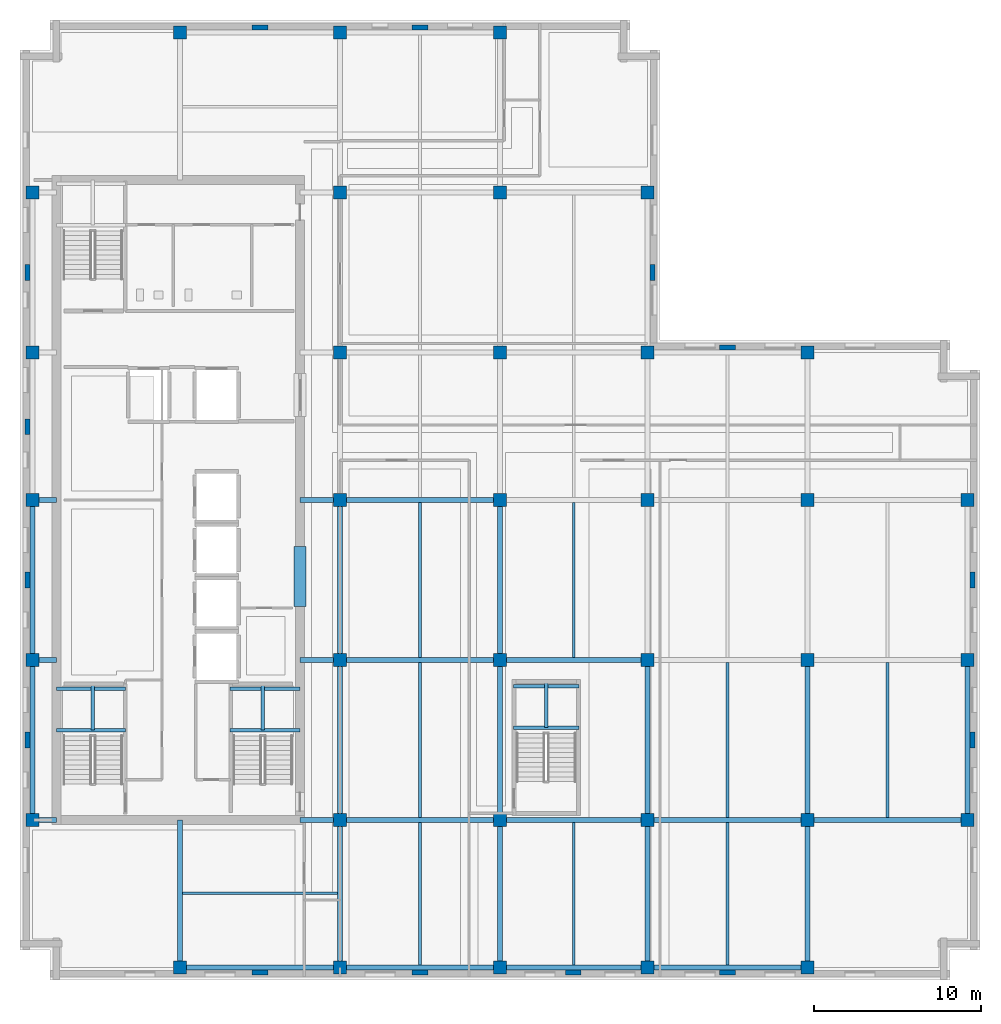
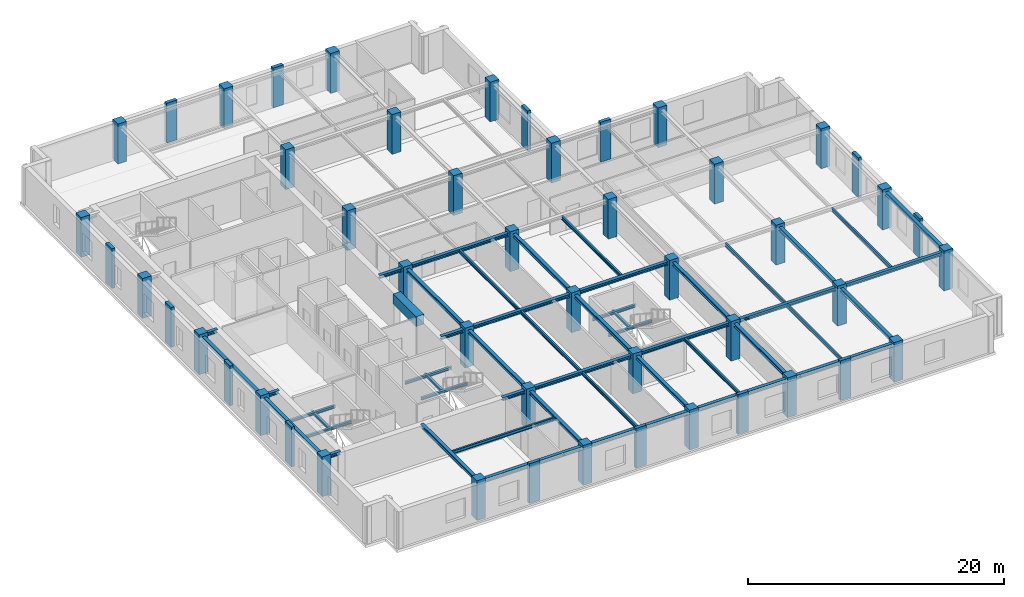
# One storey, part 1 of 12: 50 beams, 49 columns.
"""IFC4 building model written with IfcOpenShell, lengths in metres."""

import ifcopenshell
import ifcopenshell.guid

model = None  # the IFC model being written
_history = None  # IfcOwnerHistory: only IFC2X3 demands one
_inside = {}  # id of a spatial element -> (the spatial element, [elements in it])
_under = {}  # id of a project, library or spatial element -> (it, [spatial elements below it])
_declared = {}  # id of a project -> (the project, [libraries it declares])
_typed = {}  # id of a type object -> (the type object, [elements of that type])
_made_of = {}  # id of a material, layer set ... -> (it, [elements and type objects made of it])


def new_model(schema):
    """Start an empty IFC model of exactly this schema.

    Asked for "IFC4X3", IfcOpenShell would pick the latest addendum, in which some entities
    have other attributes; the version numbers below select the first issue.
    IFC2X3 requires an IfcOwnerHistory on every rooted entity: one is made here for all.
    """
    global model, _history
    if schema == "IFC4X3":
        model = ifcopenshell.file(schema_version=(4, 3, 0, 0))
    else:
        model = ifcopenshell.file(schema=schema)
    _inside.clear()
    _under.clear()
    _declared.clear()
    _typed.clear()
    _made_of.clear()
    _history = None
    if model.schema == "IFC2X3":
        org = make("IfcOrganization", Name="unknown")
        user = make(
            "IfcPersonAndOrganization",
            ThePerson=make("IfcPerson", FamilyName="unknown"),
            TheOrganization=org,
        )
        app = make(
            "IfcApplication",
            ApplicationDeveloper=org,
            Version="unknown",
            ApplicationFullName="unknown",
            ApplicationIdentifier="unknown",
        )
        _history = make(
            "IfcOwnerHistory",
            OwningUser=user,
            OwningApplication=app,
            ChangeAction="ADDED",
            CreationDate=0,
        )
    return model


def make(cls, **values):
    """One entity of the class cls with the attributes given. An attribute that is None is left unset."""
    return model.create_entity(
        cls, **{name: value for name, value in values.items() if value is not None}
    )


def rooted(cls, **values):
    """An entity with a GlobalId (a new one), such as an element, a storey or a relation."""
    return make(cls, GlobalId=ifcopenshell.guid.new(), OwnerHistory=_history, **values)


def si_unit(unit_type, name, prefix=None):
    """IfcSIUnit, for example si_unit("LENGTHUNIT", "METRE", prefix="MILLI")."""
    return make("IfcSIUnit", UnitType=unit_type, Prefix=prefix, Name=name)


def assignment(units):
    """IfcUnitAssignment: the units of a project."""
    return None if units is None else make("IfcUnitAssignment", Units=units)


def point(xyz):
    """IfcCartesianPoint."""
    return None if xyz is None else make("IfcCartesianPoint", Coordinates=xyz)


def direction(xyz):
    """IfcDirection."""
    return None if xyz is None else make("IfcDirection", DirectionRatios=xyz)


def frame(location, z_axis=None, x_axis=None):
    """IfcAxis2Placement3D, a coordinate frame: its origin and axes. An axis left out is left unset."""
    return make(
        "IfcAxis2Placement3D",
        Location=point(location),
        Axis=direction(z_axis),
        RefDirection=direction(x_axis),
    )


def frame_2d(location, x_axis=None):
    """IfcAxis2Placement2D, a coordinate frame in the plane: its origin and x axis."""
    return make(
        "IfcAxis2Placement2D", Location=point(location), RefDirection=direction(x_axis)
    )


def origin():
    """The frame at (0, 0, 0) with its axes left unset."""
    return frame((0.0, 0.0, 0.0))


def origin_2d():
    """The frame at (0, 0) in the plane with its x axis left unset."""
    return frame_2d((0.0, 0.0))


def place(relative_to, where):
    """IfcLocalPlacement: puts the frame where relative to a parent placement (None: the world)."""
    return make(
        "IfcLocalPlacement", PlacementRelTo=relative_to, RelativePlacement=where
    )


def context(
    kind, dimensions, precision=None, world=None, true_north=None, identifier=None
):
    """IfcGeometricRepresentationContext, for example the 3D "Model" context."""
    return make(
        "IfcGeometricRepresentationContext",
        ContextIdentifier=identifier,
        ContextType=kind,
        CoordinateSpaceDimension=dimensions,
        Precision=precision,
        WorldCoordinateSystem=world,
        TrueNorth=true_north,
    )


def subcontext(parent, identifier, kind, view, scale=None):
    """IfcGeometricRepresentationSubContext, for example "Body" below "Model"."""
    return make(
        "IfcGeometricRepresentationSubContext",
        ContextIdentifier=identifier,
        ContextType=kind,
        ParentContext=parent,
        TargetScale=scale,
        TargetView=view,
    )


def project(units=None, contexts=None):
    """IfcProject with its units and contexts."""
    return rooted(
        "IfcProject",
        Name="project",
        RepresentationContexts=contexts,
        UnitsInContext=assignment(units),
    )


def spatial(cls, under=None, at=None, **own):
    """A site, building, storey or space (cls), placed at a placement, below another one or the project."""
    s = rooted(cls, ObjectPlacement=at, **own)
    if under is not None:
        _under.setdefault(under.id(), (under, []))[1].append(s)
    return s


def profile(cls, at=None, kind="AREA", **sizes):
    """A parametric profile (cls). Its sizes go by their IFC names, for example OverallWidth=200.0."""
    return make(cls, ProfileType=kind, Position=at, **sizes)


def rectangle(**sizes):
    """IfcRectangleProfileDef."""
    return profile("IfcRectangleProfileDef", **sizes)


def i_section(**sizes):
    """IfcIShapeProfileDef."""
    return profile("IfcIShapeProfileDef", **sizes)


def extrude(swept, where, along, depth):
    """IfcExtrudedAreaSolid: the profile swept, set in the frame where, extruded along a direction by depth."""
    return make(
        "IfcExtrudedAreaSolid",
        SweptArea=swept,
        Position=where,
        ExtrudedDirection=direction(along),
        Depth=depth,
    )


def shape(context_of_items, identifier, shape_type, items):
    """IfcShapeRepresentation: the items that make up one representation, for example the "Body"."""
    return make(
        "IfcShapeRepresentation",
        ContextOfItems=context_of_items,
        RepresentationIdentifier=identifier,
        RepresentationType=shape_type,
        Items=items,
    )


def material(Name=None, Category=None):
    """IfcMaterial."""
    return make("IfcMaterial", Name=Name, Category=Category)


def material_profile(
    of_material, cross_section, Name=None, Category=None, Priority=None
):
    """IfcMaterialProfile: a cross section and its material."""
    return make(
        "IfcMaterialProfile",
        Name=Name,
        Material=of_material,
        Profile=cross_section,
        Priority=Priority,
        Category=Category,
    )


def profile_set(profiles, Name=None, composite=None):
    """IfcMaterialProfileSet."""
    return make(
        "IfcMaterialProfileSet",
        Name=Name,
        MaterialProfiles=profiles,
        CompositeProfile=composite,
    )


def made_of(thing, what):
    """Note that an element or type object is made of a material, layer set ...; save() writes the relation."""
    if what is not None:
        _made_of.setdefault(what.id(), (what, []))[1].append(thing)
    return thing


def type_object(cls, material=None, **own):
    """A type object (cls), such as IfcWallType, which elements share."""
    return made_of(rooted(cls, **own), material)


def element(
    cls,
    number,
    at=None,
    inside=None,
    cuts=None,
    type_object=None,
    material=None,
    context=None,
    identifier="Body",
    shape_type=None,
    held_by="IfcProductDefinitionShape",
    body=None,
    shapes=None,
    **own,
):
    """One element of the class cls, such as IfcWall. Its Tag is "e" and its number.

    at: its placement. inside: the storey or other place that contains it. cuts: it is an
    opening in that element (IfcRelVoidsElement). A single representation is given by context,
    identifier, shape_type and body (its items); several are given by shapes. held_by: the class
    of the entity that holds the representations. save() writes the other relations.
    """
    e = rooted(cls, Tag="e%d" % number, ObjectPlacement=at, **own)
    if body is not None:
        shapes = [shape(context, identifier, shape_type, body)]
    if shapes is not None:
        e.Representation = make(held_by, Representations=shapes)
    if inside is not None:
        _inside.setdefault(inside.id(), (inside, []))[1].append(e)
    if cuts is not None:
        rooted(
            "IfcRelVoidsElement", RelatingBuildingElement=cuts, RelatedOpeningElement=e
        )
    if type_object is not None:
        _typed.setdefault(type_object.id(), (type_object, []))[1].append(e)
    return made_of(e, material)


def aggregate(whole, parts):
    """IfcRelAggregates: a whole, such as a stair, and the parts it consists of."""
    return rooted("IfcRelAggregates", RelatingObject=whole, RelatedObjects=parts)


def save(model, path):
    """Write the relations noted so far, then the file.

    IfcRelAggregates (storeys below a building ...), IfcRelContainedInSpatialStructure (elements
    in a storey), IfcRelDefinesByType, IfcRelAssociatesMaterial and IfcRelDeclares: one each for
    every whole, place, type object, material and project.
    """
    for whole, parts in _under.values():
        aggregate(whole, parts)
    for where, things in _inside.values():
        rooted(
            "IfcRelContainedInSpatialStructure",
            RelatedElements=things,
            RelatingStructure=where,
        )
    for kind, things in _typed.values():
        rooted("IfcRelDefinesByType", RelatedObjects=things, RelatingType=kind)
    for what, things in _made_of.values():
        rooted("IfcRelAssociatesMaterial", RelatedObjects=things, RelatingMaterial=what)
    for by, libraries in _declared.values():
        rooted("IfcRelDeclares", RelatingContext=by, RelatedDefinitions=libraries)
    model.write(path)


model = new_model("IFC4")

# Units and contexts
model_context = context("Model", 3, precision=1e-05, world=origin(), true_north=direction((0.0, 1.0)))
body_context = subcontext(model_context, "Body", "Model", "MODEL_VIEW")
ifc_project = project(units=[si_unit("LENGTHUNIT", "METRE"), si_unit("AREAUNIT", "SQUARE_METRE"), si_unit("VOLUMEUNIT", "CUBIC_METRE"), si_unit("PLANEANGLEUNIT", "RADIAN"), si_unit("MASSUNIT", "GRAM", prefix="KILO")], contexts=[model_context])

# Site, building, storey
site_placement = place(None, origin())
site = spatial("IfcSite", under=ifc_project, at=site_placement, CompositionType="ELEMENT")
building_placement = place(site_placement, origin())
building = spatial("IfcBuilding", under=site, at=building_placement, Name="Norrvale University Quadrangle", CompositionType="ELEMENT")
storey_placement = place(building_placement, frame((0.0, 0.0, 237.0)))
storey = spatial("IfcBuildingStorey", under=building, at=storey_placement, Name="L60", CompositionType="ELEMENT", Elevation=237.0)

# Columns
ifc_material_1 = material(Name="Red Manganese Brick Concrete C60/75", Category="concrete")
ifc_material_profile_1 = material_profile(ifc_material_1, rectangle(XDim=0.949951171875, YDim=0.300048828125, at=origin_2d()), Name="Red Manganese Brick Concrete C60/75")
ifc_profile_set_1 = profile_set([ifc_material_profile_1], Name="Red Manganese Brick Concrete C60/75")
column_type_1 = type_object("IfcColumnType", Name="Column Brick Pier 950x300", PredefinedType="PILASTER", material=ifc_profile_set_1)
for number, where, z_axis, x_axis, name in (
    (1, (0.449951171875, 14.39990234375, 0.0), (0.0, 0.0, 1.0), (0.0, 1.0, 0.0), "Exterior Brick Facade Pilaster L60-01"),
    (2, (0.449951171875, 24.0, 0.0), (0.0, 0.0, 1.0), (0.0, 1.0, 0.0), "Exterior Brick Facade Pilaster L60-02"),
    (3, (0.449951171875, 33.199951171875, 0.0), (0.0, 0.0, 1.0), (0.0, 1.0, 0.0), "Exterior Brick Facade Pilaster L60-03"),
    (4, (0.449951171875, 42.449951171875, 0.0), (0.0, 0.0, 1.0), (0.0, 1.0, 0.0), "Exterior Brick Facade Pilaster L60-04"),
    (5, (14.39990234375, 0.449951171875, 0.0), (0.0, 0.0, 1.0), (1.0, 0.0, 0.0), "Exterior Brick Facade Pilaster L60-05"),
    (6, (24.0, 0.449951171875, 0.0), (0.0, 0.0, 1.0), (1.0, 0.0, 0.0), "Exterior Brick Facade Pilaster L60-06"),
    (7, (33.199951171875, 0.449951171875, 0.0), (0.0, 0.0, 1.0), (1.0, 0.0, 0.0), "Exterior Brick Facade Pilaster L60-07"),
    (8, (42.449951171875, 0.449951171875, 0.0), (0.0, 0.0, 1.0), (1.0, 0.0, 0.0), "Exterior Brick Facade Pilaster L60-08"),
    (9, (57.14990234375, 14.39990234375, 0.0), (0.0, 0.0, 1.0), (0.0, 1.0, 0.0), "Exterior Brick Facade Pilaster L60-09"),
    (10, (57.14990234375, 24.0, 0.0), (0.0, 0.0, 1.0), (0.0, 1.0, 0.0), "Exterior Brick Facade Pilaster L60-10"),
    (11, (14.39990234375, 57.14990234375, 0.0), (0.0, 0.0, 1.0), (1.0, 0.0, 0.0), "Exterior Brick Facade Pilaster L60-11"),
    (12, (24.0, 57.14990234375, 0.0), (0.0, 0.0, 1.0), (1.0, 0.0, 0.0), "Exterior Brick Facade Pilaster L60-12"),
    (13, (37.949951171875, 42.449951171875, 0.0), (0.0, 0.0, 1.0), (0.0, 1.0, 0.0), "Exterior Brick Facade Pilaster L60-13"),
    (14, (42.449951171875, 37.949951171875, 0.0), (0.0, 0.0, 1.0), (1.0, 0.0, 0.0), "Exterior Brick Facade Pilaster L60-14"),
):
    element("IfcColumn", number, at=place(storey_placement, frame(where, z_axis=z_axis, x_axis=x_axis)), inside=storey, type_object=column_type_1, Name=name, PredefinedType="PILASTER", context=body_context, shape_type="SweptSolid", body=[
        extrude(rectangle(XDim=0.949951171875, YDim=0.300048828125, at=origin_2d()), origin(), (0.0, 0.0, 1.0), 3.800048828125),
    ])
ifc_material_2 = material(Name="Concrete C60/75", Category="concrete")
ifc_material_profile_2 = material_profile(ifc_material_2, rectangle(XDim=0.800048828125, YDim=0.800048828125, at=origin_2d()), Name="Concrete C60/75")
ifc_profile_set_2 = profile_set([ifc_material_profile_2], Name="Concrete C60/75")
column_type_2 = type_object("IfcColumnType", Name="Column Tower Z3 800x800", PredefinedType="COLUMN", material=ifc_profile_set_2)
for number, where, z_axis, x_axis, name in (
    (15, (0.75, 9.60009765625, 0.0), (0.0, 0.0, 1.0), (1.0, 0.0, 0.0), "Tower Column L60-T01"),
    (16, (0.75, 19.199951171875, 0.0), (0.0, 0.0, 1.0), (1.0, 0.0, 0.0), "Tower Column L60-T02"),
    (17, (0.75, 28.800048828125, 0.0), (0.0, 0.0, 1.0), (1.0, 0.0, 0.0), "Tower Column L60-T03"),
    (18, (0.75, 37.64990234375, 0.0), (0.0, 0.0, 1.0), (1.0, 0.0, 0.0), "Tower Column L60-T04"),
    (19, (0.75, 47.25, 0.0), (0.0, 0.0, 1.0), (1.0, 0.0, 0.0), "Tower Column L60-T05"),
    (20, (9.60009765625, 0.75, 0.0), (0.0, 0.0, 1.0), (1.0, 0.0, 0.0), "Tower Column L60-T06"),
    (21, (9.60009765625, 56.85009765625, 0.0), (0.0, 0.0, 1.0), (1.0, 0.0, 0.0), "Tower Column L60-T07"),
    (22, (19.199951171875, 0.75, 0.0), (0.0, 0.0, 1.0), (1.0, 0.0, 0.0), "Tower Column L60-T08"),
    (23, (19.199951171875, 9.60009765625, 0.0), (0.0, 0.0, 1.0), (1.0, 0.0, 0.0), "Tower Column L60-T09"),
    (24, (19.199951171875, 19.199951171875, 0.0), (0.0, 0.0, 1.0), (1.0, 0.0, 0.0), "Tower Column L60-T10"),
    (25, (19.199951171875, 28.800048828125, 0.0), (0.0, 0.0, 1.0), (1.0, 0.0, 0.0), "Tower Column L60-T11"),
    (26, (19.199951171875, 37.64990234375, 0.0), (0.0, 0.0, 1.0), (1.0, 0.0, 0.0), "Tower Column L60-T12"),
    (27, (19.199951171875, 47.25, 0.0), (0.0, 0.0, 1.0), (1.0, 0.0, 0.0), "Tower Column L60-T13"),
    (28, (19.199951171875, 56.85009765625, 0.0), (0.0, 0.0, 1.0), (1.0, 0.0, 0.0), "Tower Column L60-T14"),
    (29, (28.800048828125, 0.75, 0.0), (0.0, 0.0, 1.0), (1.0, 0.0, 0.0), "Tower Column L60-T15"),
    (30, (28.800048828125, 9.60009765625, 0.0), (0.0, 0.0, 1.0), (1.0, 0.0, 0.0), "Tower Column L60-T16"),
    (31, (28.800048828125, 19.199951171875, 0.0), (0.0, 0.0, 1.0), (1.0, 0.0, 0.0), "Tower Column L60-T17"),
    (32, (28.800048828125, 28.800048828125, 0.0), (0.0, 0.0, 1.0), (1.0, 0.0, 0.0), "Tower Column L60-T18"),
    (33, (28.800048828125, 37.64990234375, 0.0), (0.0, 0.0, 1.0), (1.0, 0.0, 0.0), "Tower Column L60-T19"),
    (34, (28.800048828125, 47.25, 0.0), (0.0, 0.0, 1.0), (1.0, 0.0, 0.0), "Tower Column L60-T20"),
    (35, (28.800048828125, 56.85009765625, 0.0), (0.0, 0.0, 1.0), (1.0, 0.0, 0.0), "Tower Column L60-T21"),
    (36, (37.64990234375, 0.75, 0.0), (0.0, 0.0, 1.0), (1.0, 0.0, 0.0), "Tower Column L60-T22"),
    (37, (37.64990234375, 9.60009765625, 0.0), (0.0, 0.0, 1.0), (1.0, 0.0, 0.0), "Tower Column L60-T23"),
    (38, (37.64990234375, 19.199951171875, 0.0), (0.0, 0.0, 1.0), (1.0, 0.0, 0.0), "Tower Column L60-T24"),
    (39, (37.64990234375, 28.800048828125, 0.0), (0.0, 0.0, 1.0), (1.0, 0.0, 0.0), "Tower Column L60-T25"),
    (40, (37.64990234375, 37.64990234375, 0.0), (0.0, 0.0, 1.0), (1.0, 0.0, 0.0), "Tower Column L60-T26"),
    (41, (37.64990234375, 47.25, 0.0), (0.0, 0.0, 1.0), (1.0, 0.0, 0.0), "Tower Column L60-T27"),
    (42, (47.25, 0.75, 0.0), (0.0, 0.0, 1.0), (1.0, 0.0, 0.0), "Tower Column L60-T28"),
    (43, (47.25, 9.60009765625, 0.0), (0.0, 0.0, 1.0), (1.0, 0.0, 0.0), "Tower Column L60-T29"),
    (44, (47.25, 19.199951171875, 0.0), (0.0, 0.0, 1.0), (1.0, 0.0, 0.0), "Tower Column L60-T30"),
    (45, (47.25, 28.800048828125, 0.0), (0.0, 0.0, 1.0), (1.0, 0.0, 0.0), "Tower Column L60-T31"),
    (46, (47.25, 37.64990234375, 0.0), (0.0, 0.0, 1.0), (1.0, 0.0, 0.0), "Tower Column L60-T32"),
    (47, (56.85009765625, 9.60009765625, 0.0), (0.0, 0.0, 1.0), (1.0, 0.0, 0.0), "Tower Column L60-T33"),
    (48, (56.85009765625, 19.199951171875, 0.0), (0.0, 0.0, 1.0), (1.0, 0.0, 0.0), "Tower Column L60-T34"),
    (49, (56.85009765625, 28.800048828125, 0.0), (0.0, 0.0, 1.0), (1.0, 0.0, 0.0), "Tower Column L60-T35"),
):
    element("IfcColumn", number, at=place(storey_placement, frame(where, z_axis=z_axis, x_axis=x_axis)), inside=storey, type_object=column_type_2, Name=name, PredefinedType="COLUMN", context=body_context, shape_type="SweptSolid", body=[
        extrude(rectangle(XDim=0.800048828125, YDim=0.800048828125, at=origin_2d()), origin(), (0.0, 0.0, 1.0), 3.800048828125),
    ])

# Beams
ifc_material_3 = material(Name="Steel 350W", Category="steel")
ifc_material_profile_3 = material_profile(ifc_material_3, i_section(OverallWidth=0.1669921875, OverallDepth=0.31689453125, WebThickness=0.007568359375, FlangeThickness=0.01318359375, FilletRadius=0.010009765625, at=origin_2d()), Name="Steel 350W")
ifc_profile_set_3 = profile_set([ifc_material_profile_3], Name="Steel 350W")
beam_type_1 = type_object("IfcBeamType", Name="Beam Canopy Purlin W310x52", PredefinedType="USERDEFINED", material=ifc_profile_set_3)
beam_1_placement = place(storey_placement, frame((24.0, 0.902587890625, 3.381591796875), z_axis=(0.0, 1.0, 0.0), x_axis=(-1.0, 0.0, 0.0)))
element("IfcBeam", 50, at=beam_1_placement, inside=storey, type_object=beam_type_1, Name="Beam Canopy Purlin W310x52 BM-L60-J061", ObjectType="PURLIN", PredefinedType="USERDEFINED", context=body_context, shape_type="SweptSolid", body=[
    extrude(i_section(OverallWidth=0.1669921875, OverallDepth=0.31689453125, WebThickness=0.007568359375, FlangeThickness=0.01318359375, FilletRadius=0.010009765625, at=origin_2d()), origin(), (0.0, 0.0, 1.0), 8.544921875),
])
beam_2_placement = place(storey_placement, frame((24.0, 9.75244140625, 3.381591796875), z_axis=(0.0, 1.0, 0.0), x_axis=(-1.0, 0.0, 0.0)))
element("IfcBeam", 51, at=beam_2_placement, inside=storey, type_object=beam_type_1, Name="Beam Canopy Purlin W310x52 BM-L60-J062", ObjectType="PURLIN", PredefinedType="USERDEFINED", context=body_context, shape_type="SweptSolid", body=[
    extrude(i_section(OverallWidth=0.1669921875, OverallDepth=0.31689453125, WebThickness=0.007568359375, FlangeThickness=0.01318359375, FilletRadius=0.010009765625, at=origin_2d()), origin(), (0.0, 0.0, 1.0), 9.295166015625),
])
beam_3_placement = place(storey_placement, frame((24.0, 19.3525390625, 3.381591796875), z_axis=(0.0, 1.0, 0.0), x_axis=(-1.0, 0.0, 0.0)))
element("IfcBeam", 52, at=beam_3_placement, inside=storey, type_object=beam_type_1, Name="Beam Canopy Purlin W310x52 BM-L60-J063", ObjectType="PURLIN", PredefinedType="USERDEFINED", context=body_context, shape_type="SweptSolid", body=[
    extrude(i_section(OverallWidth=0.1669921875, OverallDepth=0.31689453125, WebThickness=0.007568359375, FlangeThickness=0.01318359375, FilletRadius=0.010009765625, at=origin_2d()), origin(), (0.0, 0.0, 1.0), 9.294921875),
])
beam_4_placement = place(storey_placement, frame((33.22509765625, 0.902587890625, 3.381591796875), z_axis=(0.0, 1.0, 0.0), x_axis=(-1.0, 0.0, 0.0)))
element("IfcBeam", 53, at=beam_4_placement, inside=storey, type_object=beam_type_1, Name="Beam Canopy Purlin W310x52 BM-L60-J067", ObjectType="PURLIN", PredefinedType="USERDEFINED", context=body_context, shape_type="SweptSolid", body=[
    extrude(i_section(OverallWidth=0.1669921875, OverallDepth=0.31689453125, WebThickness=0.007568359375, FlangeThickness=0.01318359375, FilletRadius=0.010009765625, at=origin_2d()), origin(), (0.0, 0.0, 1.0), 8.544921875),
])
beam_5_placement = place(storey_placement, frame((33.22509765625, 19.3525390625, 3.381591796875), z_axis=(0.0, 1.0, 0.0), x_axis=(-1.0, 0.0, 0.0)))
element("IfcBeam", 54, at=beam_5_placement, inside=storey, type_object=beam_type_1, Name="Beam Canopy Purlin W310x52 BM-L60-J068", ObjectType="PURLIN", PredefinedType="USERDEFINED", context=body_context, shape_type="SweptSolid", body=[
    extrude(i_section(OverallWidth=0.1669921875, OverallDepth=0.31689453125, WebThickness=0.007568359375, FlangeThickness=0.01318359375, FilletRadius=0.010009765625, at=origin_2d()), origin(), (0.0, 0.0, 1.0), 9.294921875),
])
beam_6_placement = place(storey_placement, frame((42.449951171875, 0.902587890625, 3.381591796875), z_axis=(0.0, 1.0, 0.0), x_axis=(-1.0, 0.0, 0.0)))
element("IfcBeam", 55, at=beam_6_placement, inside=storey, type_object=beam_type_1, Name="Beam Canopy Purlin W310x52 BM-L60-J071", ObjectType="PURLIN", PredefinedType="USERDEFINED", context=body_context, shape_type="SweptSolid", body=[
    extrude(i_section(OverallWidth=0.1669921875, OverallDepth=0.31689453125, WebThickness=0.007568359375, FlangeThickness=0.01318359375, FilletRadius=0.010009765625, at=origin_2d()), origin(), (0.0, 0.0, 1.0), 8.544921875),
])
for number, where, z_axis, x_axis, name in (
    (56, (42.449951171875, 9.75244140625, 3.381591796875), (0.0, 1.0, 0.0), (-1.0, 0.0, 0.0), "Beam Canopy Purlin W310x52 BM-L60-J072"),
    (57, (52.050048828125, 9.75244140625, 3.381591796875), (0.0, 1.0, 0.0), (-1.0, 0.0, 0.0), "Beam Canopy Purlin W310x52 BM-L60-J075"),
    (58, (9.75244140625, 5.199951171875, 3.381591796875), (1.0, 0.0, 0.0), (0.0, 1.0, 0.0), "Beam Canopy Purlin W310x52 BM-L60-JCS078"),
):
    element("IfcBeam", number, at=place(storey_placement, frame(where, z_axis=z_axis, x_axis=x_axis)), inside=storey, type_object=beam_type_1, Name=name, ObjectType="PURLIN", PredefinedType="USERDEFINED", context=body_context, shape_type="SweptSolid", body=[
        extrude(i_section(OverallWidth=0.1669921875, OverallDepth=0.31689453125, WebThickness=0.007568359375, FlangeThickness=0.01318359375, FilletRadius=0.010009765625, at=origin_2d()), origin(), (0.0, 0.0, 1.0), 9.295166015625),
    ])
ifc_material_profile_4 = material_profile(ifc_material_3, i_section(OverallWidth=0.304931640625, OverallDepth=0.30810546875, WebThickness=0.010009765625, FlangeThickness=0.015380859375, FilletRadius=0.014892578125, at=origin_2d()), Name="Steel 350W")
ifc_profile_set_4 = profile_set([ifc_material_profile_4], Name="Steel 350W")
beam_type_2 = type_object("IfcBeamType", Name="Beam Canopy W310x97", PredefinedType="BEAM", material=ifc_profile_set_4)
beam_7_placement = place(storey_placement, frame((9.60009765625, 0.75, 3.385986328125), z_axis=(1.0, 0.0, 0.0), x_axis=(0.0, 1.0, 0.0)))
element("IfcBeam", 59, at=beam_7_placement, inside=storey, type_object=beam_type_2, Name="Beam Canopy W310x97 BM-L60-GX001", PredefinedType="BEAM", context=body_context, shape_type="SweptSolid", body=[
    extrude(i_section(OverallWidth=0.304931640625, OverallDepth=0.30810546875, WebThickness=0.010009765625, FlangeThickness=0.015380859375, FilletRadius=0.014892578125, at=origin_2d()), origin(), (0.0, 0.0, 1.0), 9.599853515625),
])
beam_8_placement = place(storey_placement, frame((19.199951171875, 0.75, 3.385986328125), z_axis=(1.0, 0.0, 0.0), x_axis=(0.0, 1.0, 0.0)))
element("IfcBeam", 60, at=beam_8_placement, inside=storey, type_object=beam_type_2, Name="Beam Canopy W310x97 BM-L60-GX002", PredefinedType="BEAM", context=body_context, shape_type="SweptSolid", body=[
    extrude(i_section(OverallWidth=0.304931640625, OverallDepth=0.30810546875, WebThickness=0.010009765625, FlangeThickness=0.015380859375, FilletRadius=0.014892578125, at=origin_2d()), origin(), (0.0, 0.0, 1.0), 9.60009765625),
])
beam_9_placement = place(storey_placement, frame((28.800048828125, 0.75, 3.385986328125), z_axis=(1.0, 0.0, 0.0), x_axis=(0.0, 1.0, 0.0)))
element("IfcBeam", 61, at=beam_9_placement, inside=storey, type_object=beam_type_2, Name="Beam Canopy W310x97 BM-L60-GX003", PredefinedType="BEAM", context=body_context, shape_type="SweptSolid", body=[
    extrude(i_section(OverallWidth=0.304931640625, OverallDepth=0.30810546875, WebThickness=0.010009765625, FlangeThickness=0.015380859375, FilletRadius=0.014892578125, at=origin_2d()), origin(), (0.0, 0.0, 1.0), 8.849853515625),
])
for number, where, z_axis, x_axis, name in (
    (62, (37.64990234375, 0.75, 3.385986328125), (1.0, 0.0, 0.0), (0.0, 1.0, 0.0), "Beam Canopy W310x97 BM-L60-GX004"),
    (63, (19.199951171875, 9.60009765625, 3.385986328125), (1.0, 0.0, 0.0), (0.0, 1.0, 0.0), "Beam Canopy W310x97 BM-L60-GX005"),
):
    element("IfcBeam", number, at=place(storey_placement, frame(where, z_axis=z_axis, x_axis=x_axis)), inside=storey, type_object=beam_type_2, Name=name, PredefinedType="BEAM", context=body_context, shape_type="SweptSolid", body=[
        extrude(i_section(OverallWidth=0.304931640625, OverallDepth=0.30810546875, WebThickness=0.010009765625, FlangeThickness=0.015380859375, FilletRadius=0.014892578125, at=origin_2d()), origin(), (0.0, 0.0, 1.0), 9.60009765625),
    ])
beam_10_placement = place(storey_placement, frame((28.800048828125, 9.60009765625, 3.385986328125), z_axis=(1.0, 0.0, 0.0), x_axis=(0.0, 1.0, 0.0)))
element("IfcBeam", 64, at=beam_10_placement, inside=storey, type_object=beam_type_2, Name="Beam Canopy W310x97 BM-L60-GX006", PredefinedType="BEAM", context=body_context, shape_type="SweptSolid", body=[
    extrude(i_section(OverallWidth=0.304931640625, OverallDepth=0.30810546875, WebThickness=0.010009765625, FlangeThickness=0.015380859375, FilletRadius=0.014892578125, at=origin_2d()), origin(), (0.0, 0.0, 1.0), 8.849853515625),
])
for number, where, z_axis, x_axis, name in (
    (65, (37.64990234375, 9.60009765625, 3.385986328125), (1.0, 0.0, 0.0), (0.0, 1.0, 0.0), "Beam Canopy W310x97 BM-L60-GX007"),
    (66, (47.25, 9.60009765625, 3.385986328125), (1.0, 0.0, 0.0), (0.0, 1.0, 0.0), "Beam Canopy W310x97 BM-L60-GX008"),
    (67, (19.199951171875, 19.199951171875, 3.385986328125), (1.0, 0.0, 0.0), (0.0, 1.0, 0.0), "Beam Canopy W310x97 BM-L60-GX009"),
):
    element("IfcBeam", number, at=place(storey_placement, frame(where, z_axis=z_axis, x_axis=x_axis)), inside=storey, type_object=beam_type_2, Name=name, PredefinedType="BEAM", context=body_context, shape_type="SweptSolid", body=[
        extrude(i_section(OverallWidth=0.304931640625, OverallDepth=0.30810546875, WebThickness=0.010009765625, FlangeThickness=0.015380859375, FilletRadius=0.014892578125, at=origin_2d()), origin(), (0.0, 0.0, 1.0), 9.60009765625),
    ])
beam_11_placement = place(storey_placement, frame((28.800048828125, 19.199951171875, 3.385986328125), z_axis=(1.0, 0.0, 0.0), x_axis=(0.0, 1.0, 0.0)))
element("IfcBeam", 68, at=beam_11_placement, inside=storey, type_object=beam_type_2, Name="Beam Canopy W310x97 BM-L60-GX010", PredefinedType="BEAM", context=body_context, shape_type="SweptSolid", body=[
    extrude(i_section(OverallWidth=0.304931640625, OverallDepth=0.30810546875, WebThickness=0.010009765625, FlangeThickness=0.015380859375, FilletRadius=0.014892578125, at=origin_2d()), origin(), (0.0, 0.0, 1.0), 8.849853515625),
])
beam_12_placement = place(storey_placement, frame((19.199951171875, 28.800048828125, 3.385986328125), z_axis=(1.0, 0.0, 0.0), x_axis=(0.0, 1.0, 0.0)))
element("IfcBeam", 69, at=beam_12_placement, inside=storey, type_object=beam_type_2, Name="Beam Canopy W310x97 BM-L60-GX013", PredefinedType="BEAM", context=body_context, shape_type="SweptSolid", body=[
    extrude(i_section(OverallWidth=0.304931640625, OverallDepth=0.30810546875, WebThickness=0.010009765625, FlangeThickness=0.015380859375, FilletRadius=0.014892578125, at=origin_2d()), origin(), (0.0, 0.0, 1.0), 9.60009765625),
])
beam_13_placement = place(storey_placement, frame((0.75, 9.60009765625, 3.385986328125), z_axis=(0.0, 1.0, 0.0), x_axis=(-1.0, 0.0, 0.0)))
element("IfcBeam", 70, at=beam_13_placement, inside=storey, type_object=beam_type_2, Name="Beam Canopy W310x97 BM-L60-GY024", PredefinedType="BEAM", context=body_context, shape_type="SweptSolid", body=[
    extrude(i_section(OverallWidth=0.304931640625, OverallDepth=0.30810546875, WebThickness=0.010009765625, FlangeThickness=0.015380859375, FilletRadius=0.014892578125, at=origin_2d()), origin(), (0.0, 0.0, 1.0), 9.599853515625),
])
beam_14_placement = place(storey_placement, frame((0.75, 19.199951171875, 3.385986328125), z_axis=(0.0, 1.0, 0.0), x_axis=(-1.0, 0.0, 0.0)))
element("IfcBeam", 71, at=beam_14_placement, inside=storey, type_object=beam_type_2, Name="Beam Canopy W310x97 BM-L60-GY025", PredefinedType="BEAM", context=body_context, shape_type="SweptSolid", body=[
    extrude(i_section(OverallWidth=0.304931640625, OverallDepth=0.30810546875, WebThickness=0.010009765625, FlangeThickness=0.015380859375, FilletRadius=0.014892578125, at=origin_2d()), origin(), (0.0, 0.0, 1.0), 9.60009765625),
])
beam_15_placement = place(storey_placement, frame((19.199951171875, 0.75, 3.385986328125), z_axis=(0.0, 1.0, 0.0), x_axis=(-1.0, 0.0, 0.0)))
element("IfcBeam", 72, at=beam_15_placement, inside=storey, type_object=beam_type_2, Name="Beam Canopy W310x97 BM-L60-GY028", PredefinedType="BEAM", context=body_context, shape_type="SweptSolid", body=[
    extrude(i_section(OverallWidth=0.304931640625, OverallDepth=0.30810546875, WebThickness=0.010009765625, FlangeThickness=0.015380859375, FilletRadius=0.014892578125, at=origin_2d()), origin(), (0.0, 0.0, 1.0), 8.85009765625),
])
beam_16_placement = place(storey_placement, frame((19.199951171875, 9.60009765625, 3.385986328125), z_axis=(0.0, 1.0, 0.0), x_axis=(-1.0, 0.0, 0.0)))
element("IfcBeam", 73, at=beam_16_placement, inside=storey, type_object=beam_type_2, Name="Beam Canopy W310x97 BM-L60-GY029", PredefinedType="BEAM", context=body_context, shape_type="SweptSolid", body=[
    extrude(i_section(OverallWidth=0.304931640625, OverallDepth=0.30810546875, WebThickness=0.010009765625, FlangeThickness=0.015380859375, FilletRadius=0.014892578125, at=origin_2d()), origin(), (0.0, 0.0, 1.0), 9.599853515625),
])
beam_17_placement = place(storey_placement, frame((19.199951171875, 19.199951171875, 3.385986328125), z_axis=(0.0, 1.0, 0.0), x_axis=(-1.0, 0.0, 0.0)))
element("IfcBeam", 74, at=beam_17_placement, inside=storey, type_object=beam_type_2, Name="Beam Canopy W310x97 BM-L60-GY030", PredefinedType="BEAM", context=body_context, shape_type="SweptSolid", body=[
    extrude(i_section(OverallWidth=0.304931640625, OverallDepth=0.30810546875, WebThickness=0.010009765625, FlangeThickness=0.015380859375, FilletRadius=0.014892578125, at=origin_2d()), origin(), (0.0, 0.0, 1.0), 9.60009765625),
])
beam_18_placement = place(storey_placement, frame((28.800048828125, 0.75, 3.385986328125), z_axis=(0.0, 1.0, 0.0), x_axis=(-1.0, 0.0, 0.0)))
element("IfcBeam", 75, at=beam_18_placement, inside=storey, type_object=beam_type_2, Name="Beam Canopy W310x97 BM-L60-GY034", PredefinedType="BEAM", context=body_context, shape_type="SweptSolid", body=[
    extrude(i_section(OverallWidth=0.304931640625, OverallDepth=0.30810546875, WebThickness=0.010009765625, FlangeThickness=0.015380859375, FilletRadius=0.014892578125, at=origin_2d()), origin(), (0.0, 0.0, 1.0), 8.85009765625),
])
beam_19_placement = place(storey_placement, frame((28.800048828125, 9.60009765625, 3.385986328125), z_axis=(0.0, 1.0, 0.0), x_axis=(-1.0, 0.0, 0.0)))
element("IfcBeam", 76, at=beam_19_placement, inside=storey, type_object=beam_type_2, Name="Beam Canopy W310x97 BM-L60-GY035", PredefinedType="BEAM", context=body_context, shape_type="SweptSolid", body=[
    extrude(i_section(OverallWidth=0.304931640625, OverallDepth=0.30810546875, WebThickness=0.010009765625, FlangeThickness=0.015380859375, FilletRadius=0.014892578125, at=origin_2d()), origin(), (0.0, 0.0, 1.0), 9.599853515625),
])
beam_20_placement = place(storey_placement, frame((28.800048828125, 19.199951171875, 3.385986328125), z_axis=(0.0, 1.0, 0.0), x_axis=(-1.0, 0.0, 0.0)))
element("IfcBeam", 77, at=beam_20_placement, inside=storey, type_object=beam_type_2, Name="Beam Canopy W310x97 BM-L60-GY036", PredefinedType="BEAM", context=body_context, shape_type="SweptSolid", body=[
    extrude(i_section(OverallWidth=0.304931640625, OverallDepth=0.30810546875, WebThickness=0.010009765625, FlangeThickness=0.015380859375, FilletRadius=0.014892578125, at=origin_2d()), origin(), (0.0, 0.0, 1.0), 9.60009765625),
])
beam_21_placement = place(storey_placement, frame((37.64990234375, 0.75, 3.385986328125), z_axis=(0.0, 1.0, 0.0), x_axis=(-1.0, 0.0, 0.0)))
element("IfcBeam", 78, at=beam_21_placement, inside=storey, type_object=beam_type_2, Name="Beam Canopy W310x97 BM-L60-GY040", PredefinedType="BEAM", context=body_context, shape_type="SweptSolid", body=[
    extrude(i_section(OverallWidth=0.304931640625, OverallDepth=0.30810546875, WebThickness=0.010009765625, FlangeThickness=0.015380859375, FilletRadius=0.014892578125, at=origin_2d()), origin(), (0.0, 0.0, 1.0), 8.85009765625),
])
beam_22_placement = place(storey_placement, frame((37.64990234375, 9.60009765625, 3.385986328125), z_axis=(0.0, 1.0, 0.0), x_axis=(-1.0, 0.0, 0.0)))
element("IfcBeam", 79, at=beam_22_placement, inside=storey, type_object=beam_type_2, Name="Beam Canopy W310x97 BM-L60-GY041", PredefinedType="BEAM", context=body_context, shape_type="SweptSolid", body=[
    extrude(i_section(OverallWidth=0.304931640625, OverallDepth=0.30810546875, WebThickness=0.010009765625, FlangeThickness=0.015380859375, FilletRadius=0.014892578125, at=origin_2d()), origin(), (0.0, 0.0, 1.0), 9.599853515625),
])
beam_23_placement = place(storey_placement, frame((47.25, 0.75, 3.385986328125), z_axis=(0.0, 1.0, 0.0), x_axis=(-1.0, 0.0, 0.0)))
element("IfcBeam", 80, at=beam_23_placement, inside=storey, type_object=beam_type_2, Name="Beam Canopy W310x97 BM-L60-GY045", PredefinedType="BEAM", context=body_context, shape_type="SweptSolid", body=[
    extrude(i_section(OverallWidth=0.304931640625, OverallDepth=0.30810546875, WebThickness=0.010009765625, FlangeThickness=0.015380859375, FilletRadius=0.014892578125, at=origin_2d()), origin(), (0.0, 0.0, 1.0), 8.85009765625),
])
for number, where, z_axis, x_axis, name in (
    (81, (47.25, 9.60009765625, 3.385986328125), (0.0, 1.0, 0.0), (-1.0, 0.0, 0.0), "Beam Canopy W310x97 BM-L60-GY046"),
    (82, (56.85009765625, 9.60009765625, 3.385986328125), (0.0, 1.0, 0.0), (-1.0, 0.0, 0.0), "Beam Canopy W310x97 BM-L60-GY049"),
):
    element("IfcBeam", number, at=place(storey_placement, frame(where, z_axis=z_axis, x_axis=x_axis)), inside=storey, type_object=beam_type_2, Name=name, PredefinedType="BEAM", context=body_context, shape_type="SweptSolid", body=[
        extrude(i_section(OverallWidth=0.304931640625, OverallDepth=0.30810546875, WebThickness=0.010009765625, FlangeThickness=0.015380859375, FilletRadius=0.014892578125, at=origin_2d()), origin(), (0.0, 0.0, 1.0), 9.599853515625),
    ])
beam_24_placement = place(storey_placement, frame((0.75, 9.60009765625, 3.385986328125), z_axis=(1.0, 0.0, 0.0), x_axis=(0.0, 1.0, 0.0)))
element("IfcBeam", 83, at=beam_24_placement, inside=storey, type_object=beam_type_2, Name="Beam Canopy W310x97 BM-L60-GCW051", PredefinedType="BEAM", context=body_context, shape_type="SweptSolid", body=[
    extrude(i_section(OverallWidth=0.304931640625, OverallDepth=0.30810546875, WebThickness=0.010009765625, FlangeThickness=0.015380859375, FilletRadius=0.014892578125, at=origin_2d()), origin(), (0.0, 0.0, 1.0), 1.449951171875),
])
beam_25_placement = place(storey_placement, frame((16.800048828125, 9.60009765625, 3.385986328125), z_axis=(1.0, 0.0, 0.0), x_axis=(0.0, 1.0, 0.0)))
element("IfcBeam", 84, at=beam_25_placement, inside=storey, type_object=beam_type_2, Name="Beam Canopy W310x97 BM-L60-GCE052", PredefinedType="BEAM", context=body_context, shape_type="SweptSolid", body=[
    extrude(i_section(OverallWidth=0.304931640625, OverallDepth=0.30810546875, WebThickness=0.010009765625, FlangeThickness=0.015380859375, FilletRadius=0.014892578125, at=origin_2d()), origin(), (0.0, 0.0, 1.0), 2.39990234375),
])
beam_26_placement = place(storey_placement, frame((0.75, 19.199951171875, 3.385986328125), z_axis=(1.0, 0.0, 0.0), x_axis=(0.0, 1.0, 0.0)))
element("IfcBeam", 85, at=beam_26_placement, inside=storey, type_object=beam_type_2, Name="Beam Canopy W310x97 BM-L60-GCW053", PredefinedType="BEAM", context=body_context, shape_type="SweptSolid", body=[
    extrude(i_section(OverallWidth=0.304931640625, OverallDepth=0.30810546875, WebThickness=0.010009765625, FlangeThickness=0.015380859375, FilletRadius=0.014892578125, at=origin_2d()), origin(), (0.0, 0.0, 1.0), 1.449951171875),
])
beam_27_placement = place(storey_placement, frame((16.800048828125, 19.199951171875, 3.385986328125), z_axis=(1.0, 0.0, 0.0), x_axis=(0.0, 1.0, 0.0)))
element("IfcBeam", 86, at=beam_27_placement, inside=storey, type_object=beam_type_2, Name="Beam Canopy W310x97 BM-L60-GCE054", PredefinedType="BEAM", context=body_context, shape_type="SweptSolid", body=[
    extrude(i_section(OverallWidth=0.304931640625, OverallDepth=0.30810546875, WebThickness=0.010009765625, FlangeThickness=0.015380859375, FilletRadius=0.014892578125, at=origin_2d()), origin(), (0.0, 0.0, 1.0), 2.39990234375),
])
beam_28_placement = place(storey_placement, frame((0.75, 28.800048828125, 3.385986328125), z_axis=(1.0, 0.0, 0.0), x_axis=(0.0, 1.0, 0.0)))
element("IfcBeam", 87, at=beam_28_placement, inside=storey, type_object=beam_type_2, Name="Beam Canopy W310x97 BM-L60-GCW055", PredefinedType="BEAM", context=body_context, shape_type="SweptSolid", body=[
    extrude(i_section(OverallWidth=0.304931640625, OverallDepth=0.30810546875, WebThickness=0.010009765625, FlangeThickness=0.015380859375, FilletRadius=0.014892578125, at=origin_2d()), origin(), (0.0, 0.0, 1.0), 1.449951171875),
])
beam_29_placement = place(storey_placement, frame((16.800048828125, 28.800048828125, 3.385986328125), z_axis=(1.0, 0.0, 0.0), x_axis=(0.0, 1.0, 0.0)))
element("IfcBeam", 88, at=beam_29_placement, inside=storey, type_object=beam_type_2, Name="Beam Canopy W310x97 BM-L60-GCE056", PredefinedType="BEAM", context=body_context, shape_type="SweptSolid", body=[
    extrude(i_section(OverallWidth=0.304931640625, OverallDepth=0.30810546875, WebThickness=0.010009765625, FlangeThickness=0.015380859375, FilletRadius=0.014892578125, at=origin_2d()), origin(), (0.0, 0.0, 1.0), 2.39990234375),
])
beam_30_placement = place(storey_placement, frame((9.60009765625, 0.75, 3.385986328125), z_axis=(0.0, 1.0, 0.0), x_axis=(-1.0, 0.0, 0.0)))
element("IfcBeam", 89, at=beam_30_placement, inside=storey, type_object=beam_type_2, Name="Beam Canopy W310x97 BM-L60-GCS077", PredefinedType="BEAM", context=body_context, shape_type="SweptSolid", body=[
    extrude(i_section(OverallWidth=0.304931640625, OverallDepth=0.30810546875, WebThickness=0.010009765625, FlangeThickness=0.015380859375, FilletRadius=0.014892578125, at=origin_2d()), origin(), (0.0, 0.0, 1.0), 8.85009765625),
])
ifc_material_4 = material(Name="Concrete C80/95", Category="concrete")
ifc_material_profile_5 = material_profile(ifc_material_4, rectangle(XDim=0.699951171875, YDim=0.949951171875, at=origin_2d()), Name="Concrete C80/95")
ifc_profile_set_5 = profile_set([ifc_material_profile_5], Name="Concrete C80/95")
beam_type_3 = type_object("IfcBeamType", Name="Beam Core Link 700x950", PredefinedType="LINTEL", material=ifc_profile_set_5)
beam_31_placement = place(storey_placement, frame((16.800048828125, 22.39990234375, 3.06494140625), z_axis=(0.0, 1.0, 0.0), x_axis=(-1.0, 0.0, 0.0)))
element("IfcBeam", 90, at=beam_31_placement, inside=storey, type_object=beam_type_3, Name="Core Coupling Lintel Beam L60-1", PredefinedType="LINTEL", context=body_context, shape_type="SweptSolid", body=[
    extrude(rectangle(XDim=0.699951171875, YDim=0.949951171875, at=origin_2d()), origin(), (0.0, 0.0, 1.0), 3.60009765625),
])
ifc_material_profile_6 = material_profile(ifc_material_3, i_section(OverallWidth=0.201904296875, OverallDepth=0.2470703125, WebThickness=0.00732421875, FlangeThickness=0.010986328125, FilletRadius=0.011962890625, at=origin_2d()), Name="Steel 350W")
ifc_profile_set_6 = profile_set([ifc_material_profile_6], Name="Steel 350W")
beam_type_4 = type_object("IfcBeamType", Name="Beam Stair W250x49", PredefinedType="BEAM", material=ifc_profile_set_6)
for number, where, z_axis, x_axis, name in (
    (91, (2.199951171875, 14.989990234375, 1.576416015625), (1.0, 0.0, 0.0), (0.0, 1.0, 0.0), "Stair Mid-Landing Front Beam ST-01 L60"),
    (92, (2.199951171875, 17.469970703125, 1.576416015625), (1.0, 0.0, 0.0), (0.0, 1.0, 0.0), "Stair Mid-Landing Rear Beam ST-01 L60"),
):
    element("IfcBeam", number, at=place(storey_placement, frame(where, z_axis=z_axis, x_axis=x_axis)), inside=storey, type_object=beam_type_4, Name=name, PredefinedType="BEAM", context=body_context, shape_type="SweptSolid", body=[
        extrude(i_section(OverallWidth=0.201904296875, OverallDepth=0.2470703125, WebThickness=0.00732421875, FlangeThickness=0.010986328125, FilletRadius=0.011962890625, at=origin_2d()), origin(), (0.0, 0.0, 1.0), 4.14013671875),
    ])
for number, where, z_axis, x_axis, name in (
    (93, (12.610107421875, 14.989990234375, 1.576416015625), (1.0, 0.0, 0.0), (0.0, 1.0, 0.0), "Stair Mid-Landing Front Beam ST-03 L60"),
    (94, (12.610107421875, 17.469970703125, 1.576416015625), (1.0, 0.0, 0.0), (0.0, 1.0, 0.0), "Stair Mid-Landing Rear Beam ST-03 L60"),
):
    element("IfcBeam", number, at=place(storey_placement, frame(where, z_axis=z_axis, x_axis=x_axis)), inside=storey, type_object=beam_type_4, Name=name, PredefinedType="BEAM", context=body_context, shape_type="SweptSolid", body=[
        extrude(i_section(OverallWidth=0.201904296875, OverallDepth=0.2470703125, WebThickness=0.00732421875, FlangeThickness=0.010986328125, FilletRadius=0.011962890625, at=origin_2d()), origin(), (0.0, 0.0, 1.0), 4.18994140625),
    ])
for number, where, z_axis, x_axis, name in (
    (95, (29.610107421875, 15.139892578125, 1.576416015625), (1.0, 0.0, 0.0), (0.0, 1.0, 0.0), "Stair Mid-Landing Front Beam ST-04 L60"),
    (96, (29.610107421875, 17.6201171875, 1.576416015625), (1.0, 0.0, 0.0), (0.0, 1.0, 0.0), "Stair Mid-Landing Rear Beam ST-04 L60"),
):
    element("IfcBeam", number, at=place(storey_placement, frame(where, z_axis=z_axis, x_axis=x_axis)), inside=storey, type_object=beam_type_4, Name=name, PredefinedType="BEAM", context=body_context, shape_type="SweptSolid", body=[
        extrude(i_section(OverallWidth=0.201904296875, OverallDepth=0.2470703125, WebThickness=0.00732421875, FlangeThickness=0.010986328125, FilletRadius=0.011962890625, at=origin_2d()), origin(), (0.0, 0.0, 1.0), 3.929931640625),
    ])
ifc_material_profile_7 = material_profile(ifc_material_3, i_section(OverallWidth=0.202880859375, OverallDepth=0.202880859375, WebThickness=0.007080078125, FlangeThickness=0.010986328125, FilletRadius=0.010009765625, at=origin_2d()), Name="Steel 350W")
ifc_profile_set_7 = profile_set([ifc_material_profile_7], Name="Steel 350W")
beam_type_5 = type_object("IfcBeamType", Name="Beam Trim W200x46", PredefinedType="BEAM", material=ifc_profile_set_7)
for number, where, z_axis, x_axis, name in (
    (97, (4.375, 14.989990234375, 1.598388671875), (0.0, 1.0, 0.0), (-1.0, 0.0, 0.0), "Stair Mid-Landing Cross Beam ST-01 L60"),
    (98, (14.574951171875, 14.989990234375, 1.598388671875), (0.0, 1.0, 0.0), (-1.0, 0.0, 0.0), "Stair Mid-Landing Cross Beam ST-03 L60"),
    (99, (31.574951171875, 15.139892578125, 1.598388671875), (0.0, 1.0, 0.0), (-1.0, 0.0, 0.0), "Stair Mid-Landing Cross Beam ST-04 L60"),
):
    element("IfcBeam", number, at=place(storey_placement, frame(where, z_axis=z_axis, x_axis=x_axis)), inside=storey, type_object=beam_type_5, Name=name, PredefinedType="BEAM", context=body_context, shape_type="SweptSolid", body=[
        extrude(i_section(OverallWidth=0.202880859375, OverallDepth=0.202880859375, WebThickness=0.007080078125, FlangeThickness=0.010986328125, FilletRadius=0.010009765625, at=origin_2d()), origin(), (0.0, 0.0, 1.0), 2.800048828125),
    ])

save(model, "model.ifc")
